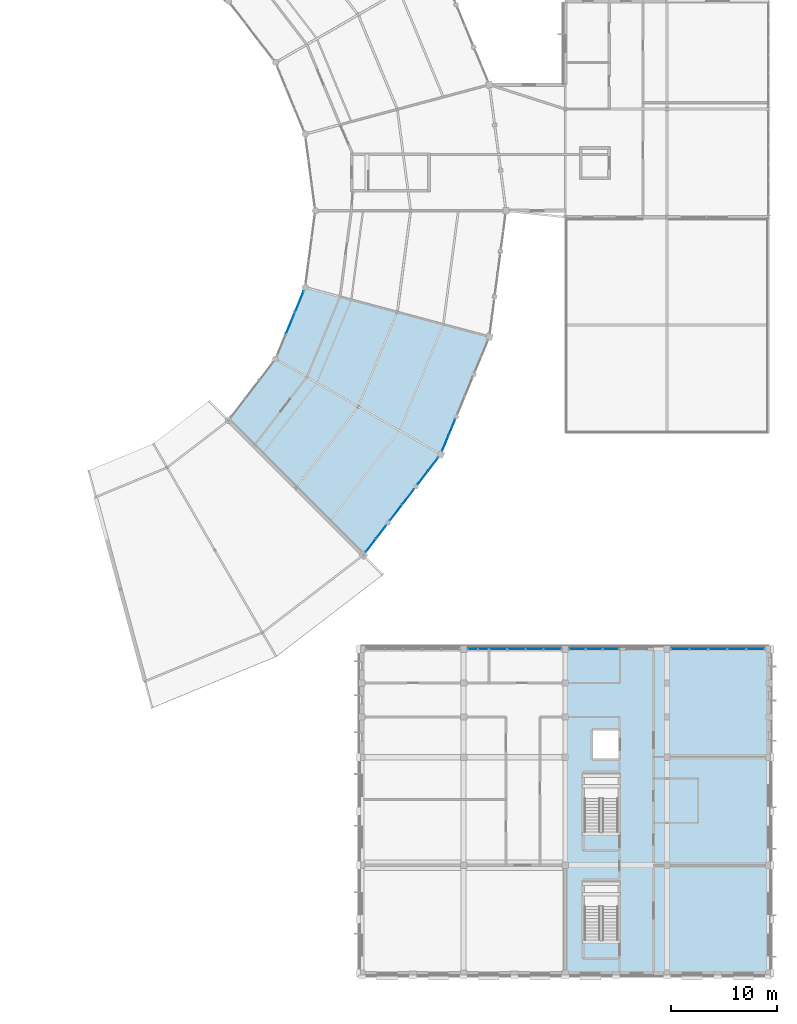
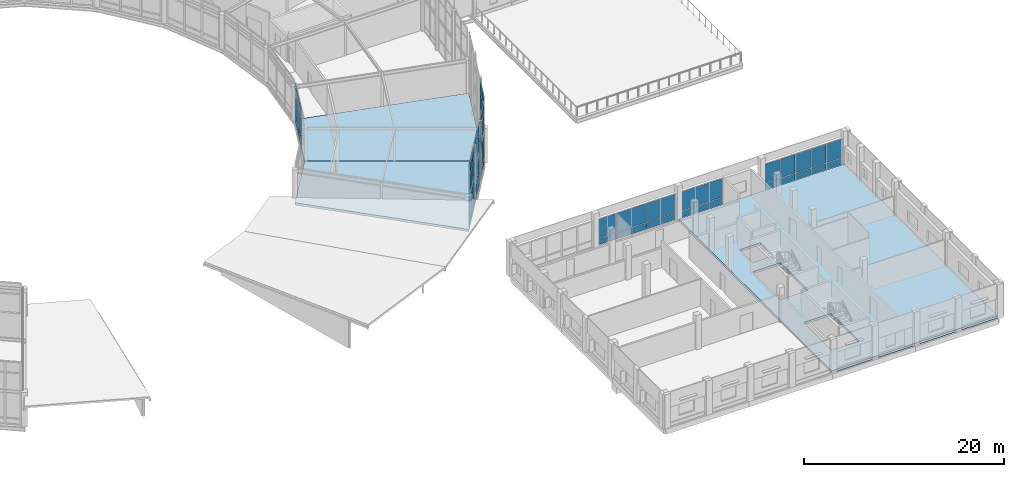
# One storey, part 144 of 185: 58 plates, 3 slabs, 9 elements without a shape of their own.
"""IFC4 building model written with IfcOpenShell, lengths in metres."""

from ifc_helpers import new_model, si_unit, direction, frame, origin, origin_2d, place, context, subcontext, project, spatial, polyline, rectangle, outline, extrude, material, layer, layer_set, type_object, element, aggregate, save


model = new_model("IFC4")

# Units and contexts
model_context = context("Model", 3, precision=1e-05, world=origin(), true_north=direction((0.0, 1.0)))
body_context = subcontext(model_context, "Body", "Model", "MODEL_VIEW")
ifc_project = project(units=[si_unit("LENGTHUNIT", "METRE"), si_unit("AREAUNIT", "SQUARE_METRE"), si_unit("VOLUMEUNIT", "CUBIC_METRE"), si_unit("PLANEANGLEUNIT", "RADIAN"), si_unit("MASSUNIT", "GRAM", prefix="KILO")], contexts=[model_context])

# Site, building, storey
site_placement = place(None, origin())
site = spatial("IfcSite", under=ifc_project, at=site_placement, CompositionType="ELEMENT")
building_placement = place(site_placement, origin())
building = spatial("IfcBuilding", under=site, at=building_placement, Name="Vondelvale Polytechnic", CompositionType="ELEMENT")
storey_placement = place(building_placement, frame((0.0, 0.0, 9.60009765625)))
storey = spatial("IfcBuildingStorey", under=building, at=storey_placement, Name="L02", CompositionType="ELEMENT", Elevation=9.60009765625)

# Curtain wall, plates
ifc_material_1 = material(Name="Anodised extruded aluminium 6063-T6", Category="aluminium")
curtain_wall_type_1 = type_object("IfcCurtainWallType", Name="CW-STUDIO-NORTH", PredefinedType="NOTDEFINED", material=ifc_material_1)
curtain_wall_1_placement = place(storey_placement, origin())
curtain_wall_1 = element("IfcCurtainWall", 1, at=curtain_wall_1_placement, inside=storey, type_object=curtain_wall_type_1, Name="L02 architectural curtain wall CW-01-064", PredefinedType="NOTDEFINED")
ifc_material_2 = material(Name="Double-glazed low-E insulated architectural glass", Category="glass")
ifc_layer_1 = layer(ifc_material_2, 0.028076171875)
ifc_layer_set_1 = layer_set([ifc_layer_1], Name="CW-PANEL-GLAZED")
plate_type_1 = type_object("IfcPlateType", Name="CW-PANEL-GLAZED", PredefinedType="CURTAIN_PANEL", material=ifc_layer_set_1)
plate_1_placement = place(storey_placement, frame((144.860107421875, 30.60009765625, 0.8798828125), z_axis=(0.0, 0.0, 1.0), x_axis=(1.0, 0.0, 0.0)))
plate_1 = element("IfcPlate", 2, at=plate_1_placement, type_object=plate_type_1, Name="CW-01-064 panel 1.2", PredefinedType="CURTAIN_PANEL", context=body_context, shape_type="SweptSolid", body=[
    extrude(rectangle(XDim=0.929931640625, YDim=0.028076171875, at=origin_2d()), origin(), (0.0, 0.0, 1.0), 2.31005859375),
])
plate_2_placement = place(storey_placement, frame((145.85498046875, 30.60009765625, 0.8798828125), z_axis=(0.0, 0.0, 1.0), x_axis=(1.0, 0.0, 0.0)))
plate_2 = element("IfcPlate", 3, at=plate_2_placement, type_object=plate_type_1, Name="CW-01-064 panel 2.2", PredefinedType="CURTAIN_PANEL", context=body_context, shape_type="SweptSolid", body=[
    extrude(rectangle(XDim=0.929931640625, YDim=0.028076171875, at=origin_2d()), origin(), (0.0, 0.0, 1.0), 2.31005859375),
])

curtain_wall_2_placement = place(storey_placement, origin())
curtain_wall_2 = element("IfcCurtainWall", 4, at=curtain_wall_2_placement, inside=storey, type_object=curtain_wall_type_1, Name="L02 architectural curtain wall CW-01-065", PredefinedType="NOTDEFINED")
plate_3_placement = place(storey_placement, frame((147.2880859375, 30.60009765625, 0.8798828125), z_axis=(0.0, 0.0, 1.0), x_axis=(1.0, 0.0, 0.0)))
plate_3 = element("IfcPlate", 5, at=plate_3_placement, type_object=plate_type_1, Name="CW-01-065 panel 1.2", PredefinedType="CURTAIN_PANEL", context=body_context, shape_type="SweptSolid", body=[
    extrude(rectangle(XDim=1.6162109375, YDim=0.028076171875, at=origin_2d()), origin(), (0.0, 0.0, 1.0), 2.31005859375),
])
plate_4_placement = place(storey_placement, frame((148.985595703125, 30.60009765625, 0.8798828125), z_axis=(0.0, 0.0, 1.0), x_axis=(1.0, 0.0, 0.0)))
plate_4 = element("IfcPlate", 6, at=plate_4_placement, type_object=plate_type_1, Name="CW-01-065 panel 2.2", PredefinedType="CURTAIN_PANEL", context=body_context, shape_type="SweptSolid", body=[
    extrude(rectangle(XDim=1.648681640625, YDim=0.028076171875, at=origin_2d()), origin(), (0.0, 0.0, 1.0), 2.31005859375),
])
plate_5_placement = place(storey_placement, frame((150.699462890625, 30.60009765625, 0.8798828125), z_axis=(0.0, 0.0, 1.0), x_axis=(1.0, 0.0, 0.0)))
plate_5 = element("IfcPlate", 7, at=plate_5_placement, type_object=plate_type_1, Name="CW-01-065 panel 3.2", PredefinedType="CURTAIN_PANEL", context=body_context, shape_type="SweptSolid", body=[
    extrude(rectangle(XDim=1.648681640625, YDim=0.028076171875, at=origin_2d()), origin(), (0.0, 0.0, 1.0), 2.31005859375),
])
plate_6_placement = place(storey_placement, frame((152.39697265625, 30.60009765625, 0.8798828125), z_axis=(0.0, 0.0, 1.0), x_axis=(1.0, 0.0, 0.0)))
plate_6 = element("IfcPlate", 8, at=plate_6_placement, type_object=plate_type_1, Name="CW-01-065 panel 4.2", PredefinedType="CURTAIN_PANEL", context=body_context, shape_type="SweptSolid", body=[
    extrude(rectangle(XDim=1.6162109375, YDim=0.028076171875, at=origin_2d()), origin(), (0.0, 0.0, 1.0), 2.31005859375),
])

curtain_wall_3_placement = place(storey_placement, origin())
curtain_wall_3 = element("IfcCurtainWall", 9, at=curtain_wall_3_placement, inside=storey, type_object=curtain_wall_type_1, Name="L02 architectural curtain wall CW-01-066", PredefinedType="NOTDEFINED")
plate_7_placement = place(storey_placement, frame((154.7470703125, 30.60009765625, 0.8798828125), z_axis=(0.0, 0.0, 1.0), x_axis=(1.0, 0.0, 0.0)))
plate_7 = element("IfcPlate", 10, at=plate_7_placement, type_object=plate_type_1, Name="CW-01-066 panel 1.2", PredefinedType="CURTAIN_PANEL", context=body_context, shape_type="SweptSolid", body=[
    extrude(rectangle(XDim=1.504150390625, YDim=0.028076171875, at=origin_2d()), origin(), (0.0, 0.0, 1.0), 2.31005859375),
])
plate_8_placement = place(storey_placement, frame((156.33251953125, 30.60009765625, 0.8798828125), z_axis=(0.0, 0.0, 1.0), x_axis=(1.0, 0.0, 0.0)))
plate_8 = element("IfcPlate", 11, at=plate_8_placement, type_object=plate_type_1, Name="CW-01-066 panel 2.2", PredefinedType="CURTAIN_PANEL", context=body_context, shape_type="SweptSolid", body=[
    extrude(rectangle(XDim=1.53662109375, YDim=0.028076171875, at=origin_2d()), origin(), (0.0, 0.0, 1.0), 2.31005859375),
])
plate_9_placement = place(storey_placement, frame((157.91796875, 30.60009765625, 0.8798828125), z_axis=(0.0, 0.0, 1.0), x_axis=(1.0, 0.0, 0.0)))
plate_9 = element("IfcPlate", 12, at=plate_9_placement, type_object=plate_type_1, Name="CW-01-066 panel 3.2", PredefinedType="CURTAIN_PANEL", context=body_context, shape_type="SweptSolid", body=[
    extrude(rectangle(XDim=1.504150390625, YDim=0.028076171875, at=origin_2d()), origin(), (0.0, 0.0, 1.0), 2.31005859375),
])

curtain_wall_4_placement = place(storey_placement, origin())
curtain_wall_4 = element("IfcCurtainWall", 13, at=curtain_wall_4_placement, inside=storey, type_object=curtain_wall_type_1, Name="L02 architectural curtain wall CW-01-067", PredefinedType="NOTDEFINED")
plate_10_placement = place(storey_placement, frame((164.440185546875, 30.60009765625, 0.8798828125), z_axis=(0.0, 0.0, 1.0), x_axis=(1.0, 0.0, 0.0)))
plate_10 = element("IfcPlate", 14, at=plate_10_placement, type_object=plate_type_1, Name="CW-01-067 panel 1.2", PredefinedType="CURTAIN_PANEL", context=body_context, shape_type="SweptSolid", body=[
    extrude(rectangle(XDim=1.6904296875, YDim=0.028076171875, at=origin_2d()), origin(), (0.0, 0.0, 1.0), 2.31005859375),
])
plate_11_placement = place(storey_placement, frame((166.2119140625, 30.60009765625, 0.8798828125), z_axis=(0.0, 0.0, 1.0), x_axis=(1.0, 0.0, 0.0)))
plate_11 = element("IfcPlate", 15, at=plate_11_placement, type_object=plate_type_1, Name="CW-01-067 panel 2.2", PredefinedType="CURTAIN_PANEL", context=body_context, shape_type="SweptSolid", body=[
    extrude(rectangle(XDim=1.722900390625, YDim=0.028076171875, at=origin_2d()), origin(), (0.0, 0.0, 1.0), 2.31005859375),
])
plate_12_placement = place(storey_placement, frame((168.0, 30.60009765625, 0.8798828125), z_axis=(0.0, 0.0, 1.0), x_axis=(1.0, 0.0, 0.0)))
plate_12 = element("IfcPlate", 16, at=plate_12_placement, type_object=plate_type_1, Name="CW-01-067 panel 3.2", PredefinedType="CURTAIN_PANEL", context=body_context, shape_type="SweptSolid", body=[
    extrude(rectangle(XDim=1.722900390625, YDim=0.028076171875, at=origin_2d()), origin(), (0.0, 0.0, 1.0), 2.31005859375),
])
plate_13_placement = place(storey_placement, frame((169.7880859375, 30.60009765625, 0.8798828125), z_axis=(0.0, 0.0, 1.0), x_axis=(1.0, 0.0, 0.0)))
plate_13 = element("IfcPlate", 17, at=plate_13_placement, type_object=plate_type_1, Name="CW-01-067 panel 4.2", PredefinedType="CURTAIN_PANEL", context=body_context, shape_type="SweptSolid", body=[
    extrude(rectangle(XDim=1.722900390625, YDim=0.028076171875, at=origin_2d()), origin(), (0.0, 0.0, 1.0), 2.31005859375),
])
plate_14_placement = place(storey_placement, frame((171.559814453125, 30.60009765625, 0.8798828125), z_axis=(0.0, 0.0, 1.0), x_axis=(1.0, 0.0, 0.0)))
plate_14 = element("IfcPlate", 18, at=plate_14_placement, type_object=plate_type_1, Name="CW-01-067 panel 5.2", PredefinedType="CURTAIN_PANEL", context=body_context, shape_type="SweptSolid", body=[
    extrude(rectangle(XDim=1.6904296875, YDim=0.028076171875, at=origin_2d()), origin(), (0.0, 0.0, 1.0), 2.31005859375),
])

ifc_material_3 = material(Name="Glulam GL18 structural Tasmanian oak (fb = 42 MPa)", Category="wood")
curtain_wall_type_2 = type_object("IfcCurtainWallType", Name="CW-RING-OUTER", PredefinedType="NOTDEFINED", material=ifc_material_3)
curtain_wall_5_placement = place(storey_placement, origin())
curtain_wall_5 = element("IfcCurtainWall", 19, at=curtain_wall_5_placement, inside=storey, type_object=curtain_wall_type_2, Name="L02 architectural curtain wall CW-04-356", PredefinedType="NOTDEFINED")
plate_15_placement = place(storey_placement, frame((135.234619140625, 40.3955078125, 0.77978515625), z_axis=(0.0, 0.0, 1.0), x_axis=(0.608786860133, 0.793333825656, 0.0)))
plate_15 = element("IfcPlate", 20, at=plate_15_placement, type_object=plate_type_1, Name="CW-04-356 panel 1.2", PredefinedType="CURTAIN_PANEL", context=body_context, shape_type="SweptSolid", body=[
    extrude(rectangle(XDim=1.530029296875, YDim=0.028076171875, at=origin_2d()), origin(), (0.0, 0.0, 1.0), 5.50146484375),
])
plate_16_placement = place(storey_placement, frame((135.234619140625, 40.3955078125, 6.34130859375), z_axis=(0.0, 0.0, 1.0), x_axis=(0.608786860133, 0.793333825656, 0.0)))
plate_16 = element("IfcPlate", 21, at=plate_16_placement, type_object=plate_type_1, Name="CW-04-356 panel 1.3", PredefinedType="CURTAIN_PANEL", context=body_context, shape_type="SweptSolid", body=[
    extrude(rectangle(XDim=1.530029296875, YDim=0.028076171875, at=origin_2d()), origin(), (0.0, 0.0, 1.0), 1.260009765625),
])
plate_17_placement = place(storey_placement, frame((136.205810546875, 41.660888671875, 0.77978515625), z_axis=(0.0, 0.0, 1.0), x_axis=(0.608786860133, 0.793333825656, 0.0)))
plate_17 = element("IfcPlate", 22, at=plate_17_placement, type_object=plate_type_1, Name="CW-04-356 panel 2.2", PredefinedType="CURTAIN_PANEL", context=body_context, shape_type="SweptSolid", body=[
    extrude(rectangle(XDim=1.530029296875, YDim=0.028076171875, at=origin_2d()), origin(), (0.0, 0.0, 1.0), 5.50146484375),
])
plate_18_placement = place(storey_placement, frame((136.205810546875, 41.660888671875, 6.34130859375), z_axis=(0.0, 0.0, 1.0), x_axis=(0.608786860133, 0.793333825656, 0.0)))
plate_18 = element("IfcPlate", 23, at=plate_18_placement, type_object=plate_type_1, Name="CW-04-356 panel 2.3", PredefinedType="CURTAIN_PANEL", context=body_context, shape_type="SweptSolid", body=[
    extrude(rectangle(XDim=1.530029296875, YDim=0.028076171875, at=origin_2d()), origin(), (0.0, 0.0, 1.0), 1.260009765625),
])

curtain_wall_6_placement = place(storey_placement, origin())
curtain_wall_6 = element("IfcCurtainWall", 24, at=curtain_wall_6_placement, inside=storey, type_object=curtain_wall_type_2, Name="L02 architectural curtain wall CW-04-357", PredefinedType="NOTDEFINED")
plate_19_placement = place(storey_placement, frame((137.611572265625, 43.4931640625, 1.6298828125), z_axis=(0.0, 0.0, 1.0), x_axis=(0.608771189063, 0.793345851043, 0.0)))
plate_19 = element("IfcPlate", 25, at=plate_19_placement, type_object=plate_type_1, Name="CW-04-357 panel 1.2", PredefinedType="CURTAIN_PANEL", context=body_context, shape_type="SweptSolid", body=[
    extrude(rectangle(XDim=1.80908203125, YDim=0.028076171875, at=origin_2d()), origin(), (0.0, 0.0, 1.0), 4.6513671875),
])
plate_20_placement = place(storey_placement, frame((137.611572265625, 43.4931640625, 6.34130859375), z_axis=(0.0, 0.0, 1.0), x_axis=(0.608771189063, 0.793345851043, 0.0)))
plate_20 = element("IfcPlate", 26, at=plate_20_placement, type_object=plate_type_1, Name="CW-04-357 panel 1.3", PredefinedType="CURTAIN_PANEL", context=body_context, shape_type="SweptSolid", body=[
    extrude(rectangle(XDim=1.80908203125, YDim=0.028076171875, at=origin_2d()), origin(), (0.0, 0.0, 1.0), 1.260009765625),
])
plate_21_placement = place(storey_placement, frame((138.75244140625, 44.97998046875, 1.6298828125), z_axis=(0.0, 0.0, 1.0), x_axis=(0.608771189063, 0.793345851043, 0.0)))
plate_21 = element("IfcPlate", 27, at=plate_21_placement, type_object=plate_type_1, Name="CW-04-357 panel 2.2", PredefinedType="CURTAIN_PANEL", context=body_context, shape_type="SweptSolid", body=[
    extrude(rectangle(XDim=1.80908203125, YDim=0.028076171875, at=origin_2d()), origin(), (0.0, 0.0, 1.0), 4.6513671875),
])
plate_22_placement = place(storey_placement, frame((138.75244140625, 44.97998046875, 6.34130859375), z_axis=(0.0, 0.0, 1.0), x_axis=(0.608771189063, 0.793345851043, 0.0)))
plate_22 = element("IfcPlate", 28, at=plate_22_placement, type_object=plate_type_1, Name="CW-04-357 panel 2.3", PredefinedType="CURTAIN_PANEL", context=body_context, shape_type="SweptSolid", body=[
    extrude(rectangle(XDim=1.80908203125, YDim=0.028076171875, at=origin_2d()), origin(), (0.0, 0.0, 1.0), 1.260009765625),
])

curtain_wall_7_placement = place(storey_placement, origin())
curtain_wall_7 = element("IfcCurtainWall", 29, at=curtain_wall_7_placement, inside=storey, type_object=curtain_wall_type_2, Name="L02 architectural curtain wall CW-04-358", PredefinedType="NOTDEFINED")
plate_23_placement = place(storey_placement, frame((140.158447265625, 46.812255859375, 0.77978515625), z_axis=(0.0, 0.0, 1.0), x_axis=(0.608786860133, 0.793333825656, 0.0)))
plate_23 = element("IfcPlate", 30, at=plate_23_placement, type_object=plate_type_1, Name="CW-04-358 panel 1.2", PredefinedType="CURTAIN_PANEL", context=body_context, shape_type="SweptSolid", body=[
    extrude(rectangle(XDim=1.530029296875, YDim=0.028076171875, at=origin_2d()), origin(), (0.0, 0.0, 1.0), 5.50146484375),
])
plate_24_placement = place(storey_placement, frame((140.158447265625, 46.812255859375, 6.34130859375), z_axis=(0.0, 0.0, 1.0), x_axis=(0.608786860133, 0.793333825656, 0.0)))
plate_24 = element("IfcPlate", 31, at=plate_24_placement, type_object=plate_type_1, Name="CW-04-358 panel 1.3", PredefinedType="CURTAIN_PANEL", context=body_context, shape_type="SweptSolid", body=[
    extrude(rectangle(XDim=1.530029296875, YDim=0.028076171875, at=origin_2d()), origin(), (0.0, 0.0, 1.0), 1.260009765625),
])
plate_25_placement = place(storey_placement, frame((141.12939453125, 48.07763671875, 0.77978515625), z_axis=(0.0, 0.0, 1.0), x_axis=(0.608786860133, 0.793333825656, 0.0)))
plate_25 = element("IfcPlate", 32, at=plate_25_placement, type_object=plate_type_1, Name="CW-04-358 panel 2.2", PredefinedType="CURTAIN_PANEL", context=body_context, shape_type="SweptSolid", body=[
    extrude(rectangle(XDim=1.530029296875, YDim=0.028076171875, at=origin_2d()), origin(), (0.0, 0.0, 1.0), 5.50146484375),
])
plate_26_placement = place(storey_placement, frame((141.12939453125, 48.07763671875, 6.34130859375), z_axis=(0.0, 0.0, 1.0), x_axis=(0.608786860133, 0.793333825656, 0.0)))
plate_26 = element("IfcPlate", 33, at=plate_26_placement, type_object=plate_type_1, Name="CW-04-358 panel 2.3", PredefinedType="CURTAIN_PANEL", context=body_context, shape_type="SweptSolid", body=[
    extrude(rectangle(XDim=1.530029296875, YDim=0.028076171875, at=origin_2d()), origin(), (0.0, 0.0, 1.0), 1.260009765625),
])

curtain_wall_type_3 = type_object("IfcCurtainWallType", Name="CW-RING-CLOISTER", PredefinedType="NOTDEFINED", material=ifc_material_1)
curtain_wall_8_placement = place(storey_placement, origin())
curtain_wall_8 = element("IfcCurtainWall", 34, at=curtain_wall_8_placement, inside=storey, type_object=curtain_wall_type_3, Name="L02 architectural curtain wall CW-03-366", PredefinedType="NOTDEFINED")
plate_27_placement = place(storey_placement, frame((127.647216796875, 61.37646484375, 0.7822265625), z_axis=(0.0, 0.0, 1.0), x_axis=(0.382678531697, 0.923881562419, 0.0)))
plate_27 = element("IfcPlate", 35, at=plate_27_placement, type_object=plate_type_1, Name="CW-03-366 panel 2.2", PredefinedType="CURTAIN_PANEL", context=body_context, shape_type="SweptSolid", body=[
    extrude(rectangle(XDim=2.146484375, YDim=0.028076171875, at=origin_2d()), origin(), (0.0, 0.0, 1.0), 2.548095703125),
])
plate_28_placement = place(storey_placement, frame((127.647216796875, 61.37646484375, 3.395751953125), z_axis=(0.0, 0.0, 1.0), x_axis=(0.382678531697, 0.923881562419, 0.0)))
plate_28 = element("IfcPlate", 36, at=plate_28_placement, type_object=plate_type_1, Name="CW-03-366 panel 2.3", PredefinedType="CURTAIN_PANEL", context=body_context, shape_type="SweptSolid", body=[
    extrude(rectangle(XDim=2.146484375, YDim=0.028076171875, at=origin_2d()), origin(), (0.0, 0.0, 1.0), 1.25244140625),
])
plate_29_placement = place(storey_placement, frame((128.48876953125, 63.408203125, 0.7822265625), z_axis=(0.0, 0.0, 1.0), x_axis=(0.382678531697, 0.923881562419, 0.0)))
plate_29 = element("IfcPlate", 37, at=plate_29_placement, type_object=plate_type_1, Name="CW-03-366 panel 3.2", PredefinedType="CURTAIN_PANEL", context=body_context, shape_type="SweptSolid", body=[
    extrude(rectangle(XDim=2.111572265625, YDim=0.028076171875, at=origin_2d()), origin(), (0.0, 0.0, 1.0), 2.548095703125),
])
plate_30_placement = place(storey_placement, frame((128.48876953125, 63.408203125, 3.395751953125), z_axis=(0.0, 0.0, 1.0), x_axis=(0.382678531697, 0.923881562419, 0.0)))
plate_30 = element("IfcPlate", 38, at=plate_30_placement, type_object=plate_type_1, Name="CW-03-366 panel 3.3", PredefinedType="CURTAIN_PANEL", context=body_context, shape_type="SweptSolid", body=[
    extrude(rectangle(XDim=2.111572265625, YDim=0.028076171875, at=origin_2d()), origin(), (0.0, 0.0, 1.0), 1.25244140625),
])

curtain_wall_9_placement = place(storey_placement, origin())
curtain_wall_9 = element("IfcCurtainWall", 39, at=curtain_wall_9_placement, inside=storey, type_object=curtain_wall_type_2, Name="L02 architectural curtain wall CW-04-367", PredefinedType="NOTDEFINED")
plate_31_placement = place(storey_placement, frame((142.2822265625, 50.07421875, 0.77978515625), z_axis=(0.0, 0.0, 1.0), x_axis=(0.382677394529, 0.923882033442, 0.0)))
plate_31 = element("IfcPlate", 40, at=plate_31_placement, type_object=plate_type_1, Name="CW-04-367 panel 1.2", PredefinedType="CURTAIN_PANEL", context=body_context, shape_type="SweptSolid", body=[
    extrude(rectangle(XDim=1.530029296875, YDim=0.028076171875, at=origin_2d()), origin(), (0.0, 0.0, 1.0), 5.50146484375),
])
plate_32_placement = place(storey_placement, frame((142.2822265625, 50.07421875, 6.34130859375), z_axis=(0.0, 0.0, 1.0), x_axis=(0.382677394529, 0.923882033442, 0.0)))
plate_32 = element("IfcPlate", 41, at=plate_32_placement, type_object=plate_type_1, Name="CW-04-367 panel 1.3", PredefinedType="CURTAIN_PANEL", context=body_context, shape_type="SweptSolid", body=[
    extrude(rectangle(XDim=1.530029296875, YDim=0.028076171875, at=origin_2d()), origin(), (0.0, 0.0, 1.0), 1.260009765625),
])
plate_33_placement = place(storey_placement, frame((142.892578125, 51.5478515625, 0.77978515625), z_axis=(0.0, 0.0, 1.0), x_axis=(0.382677394529, 0.923882033442, 0.0)))
plate_33 = element("IfcPlate", 42, at=plate_33_placement, type_object=plate_type_1, Name="CW-04-367 panel 2.2", PredefinedType="CURTAIN_PANEL", context=body_context, shape_type="SweptSolid", body=[
    extrude(rectangle(XDim=1.530029296875, YDim=0.028076171875, at=origin_2d()), origin(), (0.0, 0.0, 1.0), 5.50146484375),
])
plate_34_placement = place(storey_placement, frame((142.892578125, 51.5478515625, 6.34130859375), z_axis=(0.0, 0.0, 1.0), x_axis=(0.382677394529, 0.923882033442, 0.0)))
plate_34 = element("IfcPlate", 43, at=plate_34_placement, type_object=plate_type_1, Name="CW-04-367 panel 2.3", PredefinedType="CURTAIN_PANEL", context=body_context, shape_type="SweptSolid", body=[
    extrude(rectangle(XDim=1.530029296875, YDim=0.028076171875, at=origin_2d()), origin(), (0.0, 0.0, 1.0), 1.260009765625),
])

# Plate
ifc_material_4 = material(Name="Engineered Tasmanian oak studio and bridge joinery")
ifc_layer_2 = layer(ifc_material_4, 0.0419921875)
ifc_layer_set_2 = layer_set([ifc_layer_2], Name="CW-PANEL-OAK")
plate_type_2 = type_object("IfcPlateType", Name="CW-PANEL-OAK", PredefinedType="CURTAIN_PANEL", material=ifc_layer_set_2)
plate_35_placement = place(storey_placement, frame((137.611572265625, 43.4931640625, 0.06005859375), z_axis=(0.0, 0.0, 1.0), x_axis=(0.608771189063, 0.793345851043, 0.0)))
plate_35 = element("IfcPlate", 44, at=plate_35_placement, type_object=plate_type_2, Name="CW-04-357 panel 1.1", PredefinedType="CURTAIN_PANEL", context=body_context, shape_type="SweptSolid", body=[
    extrude(rectangle(XDim=1.80908203125, YDim=0.0419921875, at=origin_2d()), origin(), (0.0, 0.0, 1.0), 1.510009765625),
])

plate_36_placement = place(storey_placement, frame((138.75244140625, 44.97998046875, 0.06005859375), z_axis=(0.0, 0.0, 1.0), x_axis=(0.608771189063, 0.793345851043, 0.0)))
plate_36 = element("IfcPlate", 45, at=plate_36_placement, type_object=plate_type_2, Name="CW-04-357 panel 2.1", PredefinedType="CURTAIN_PANEL", context=body_context, shape_type="SweptSolid", body=[
    extrude(rectangle(XDim=1.80908203125, YDim=0.0419921875, at=origin_2d()), origin(), (0.0, 0.0, 1.0), 1.510009765625),
])

aggregate(curtain_wall_6, [plate_35, plate_19, plate_20, plate_36, plate_21, plate_22])

plate_37_placement = place(storey_placement, frame((127.647216796875, 61.37646484375, 0.06494140625), z_axis=(0.0, 0.0, 1.0), x_axis=(0.382678531697, 0.923881562419, 0.0)))
plate_37 = element("IfcPlate", 46, at=plate_37_placement, type_object=plate_type_2, Name="CW-03-366 panel 2.1", PredefinedType="CURTAIN_PANEL", context=body_context, shape_type="SweptSolid", body=[
    extrude(rectangle(XDim=2.146484375, YDim=0.0419921875, at=origin_2d()), origin(), (0.0, 0.0, 1.0), 0.652587890625),
])

plate_38_placement = place(storey_placement, frame((128.48876953125, 63.408203125, 0.06494140625), z_axis=(0.0, 0.0, 1.0), x_axis=(0.382678531697, 0.923881562419, 0.0)))
plate_38 = element("IfcPlate", 47, at=plate_38_placement, type_object=plate_type_2, Name="CW-03-366 panel 3.1", PredefinedType="CURTAIN_PANEL", context=body_context, shape_type="SweptSolid", body=[
    extrude(rectangle(XDim=2.111572265625, YDim=0.0419921875, at=origin_2d()), origin(), (0.0, 0.0, 1.0), 0.652587890625),
])

aggregate(curtain_wall_8, [plate_37, plate_27, plate_28, plate_38, plate_29, plate_30])

ifc_material_5 = material(Name="Kiln-fired architectural terracotta", Category="masonry")
ifc_layer_3 = layer(ifc_material_5, 0.035888671875)
ifc_layer_set_3 = layer_set([ifc_layer_3], Name="CW-PANEL-SPANDREL")
plate_type_3 = type_object("IfcPlateType", Name="CW-PANEL-SPANDREL", PredefinedType="CURTAIN_PANEL", material=ifc_layer_set_3)
plate_39_placement = place(storey_placement, frame((144.860107421875, 30.60009765625, 0.06005859375), z_axis=(0.0, 0.0, 1.0), x_axis=(1.0, 0.0, 0.0)))
plate_39 = element("IfcPlate", 48, at=plate_39_placement, type_object=plate_type_3, Name="CW-01-064 panel 1.1", PredefinedType="CURTAIN_PANEL", context=body_context, shape_type="SweptSolid", body=[
    extrude(rectangle(XDim=0.929931640625, YDim=0.035888671875, at=origin_2d()), origin(), (0.0, 0.0, 1.0), 0.760009765625),
])

plate_40_placement = place(storey_placement, frame((145.85498046875, 30.60009765625, 0.06005859375), z_axis=(0.0, 0.0, 1.0), x_axis=(1.0, 0.0, 0.0)))
plate_40 = element("IfcPlate", 49, at=plate_40_placement, type_object=plate_type_3, Name="CW-01-064 panel 2.1", PredefinedType="CURTAIN_PANEL", context=body_context, shape_type="SweptSolid", body=[
    extrude(rectangle(XDim=0.929931640625, YDim=0.035888671875, at=origin_2d()), origin(), (0.0, 0.0, 1.0), 0.760009765625),
])

aggregate(curtain_wall_1, [plate_39, plate_1, plate_40, plate_2])

plate_41_placement = place(storey_placement, frame((147.2880859375, 30.60009765625, 0.06005859375), z_axis=(0.0, 0.0, 1.0), x_axis=(1.0, 0.0, 0.0)))
plate_41 = element("IfcPlate", 50, at=plate_41_placement, type_object=plate_type_3, Name="CW-01-065 panel 1.1", PredefinedType="CURTAIN_PANEL", context=body_context, shape_type="SweptSolid", body=[
    extrude(rectangle(XDim=1.6162109375, YDim=0.035888671875, at=origin_2d()), origin(), (0.0, 0.0, 1.0), 0.760009765625),
])

plate_42_placement = place(storey_placement, frame((148.985595703125, 30.60009765625, 0.06005859375), z_axis=(0.0, 0.0, 1.0), x_axis=(1.0, 0.0, 0.0)))
plate_42 = element("IfcPlate", 51, at=plate_42_placement, type_object=plate_type_3, Name="CW-01-065 panel 2.1", PredefinedType="CURTAIN_PANEL", context=body_context, shape_type="SweptSolid", body=[
    extrude(rectangle(XDim=1.648681640625, YDim=0.035888671875, at=origin_2d()), origin(), (0.0, 0.0, 1.0), 0.760009765625),
])

plate_43_placement = place(storey_placement, frame((150.699462890625, 30.60009765625, 0.06005859375), z_axis=(0.0, 0.0, 1.0), x_axis=(1.0, 0.0, 0.0)))
plate_43 = element("IfcPlate", 52, at=plate_43_placement, type_object=plate_type_3, Name="CW-01-065 panel 3.1", PredefinedType="CURTAIN_PANEL", context=body_context, shape_type="SweptSolid", body=[
    extrude(rectangle(XDim=1.648681640625, YDim=0.035888671875, at=origin_2d()), origin(), (0.0, 0.0, 1.0), 0.760009765625),
])

plate_44_placement = place(storey_placement, frame((152.39697265625, 30.60009765625, 0.06005859375), z_axis=(0.0, 0.0, 1.0), x_axis=(1.0, 0.0, 0.0)))
plate_44 = element("IfcPlate", 53, at=plate_44_placement, type_object=plate_type_3, Name="CW-01-065 panel 4.1", PredefinedType="CURTAIN_PANEL", context=body_context, shape_type="SweptSolid", body=[
    extrude(rectangle(XDim=1.6162109375, YDim=0.035888671875, at=origin_2d()), origin(), (0.0, 0.0, 1.0), 0.760009765625),
])

aggregate(curtain_wall_2, [plate_41, plate_3, plate_42, plate_4, plate_43, plate_5, plate_44, plate_6])

plate_45_placement = place(storey_placement, frame((154.7470703125, 30.60009765625, 0.06005859375), z_axis=(0.0, 0.0, 1.0), x_axis=(1.0, 0.0, 0.0)))
plate_45 = element("IfcPlate", 54, at=plate_45_placement, type_object=plate_type_3, Name="CW-01-066 panel 1.1", PredefinedType="CURTAIN_PANEL", context=body_context, shape_type="SweptSolid", body=[
    extrude(rectangle(XDim=1.504150390625, YDim=0.035888671875, at=origin_2d()), origin(), (0.0, 0.0, 1.0), 0.760009765625),
])

plate_46_placement = place(storey_placement, frame((156.33251953125, 30.60009765625, 0.06005859375), z_axis=(0.0, 0.0, 1.0), x_axis=(1.0, 0.0, 0.0)))
plate_46 = element("IfcPlate", 55, at=plate_46_placement, type_object=plate_type_3, Name="CW-01-066 panel 2.1", PredefinedType="CURTAIN_PANEL", context=body_context, shape_type="SweptSolid", body=[
    extrude(rectangle(XDim=1.53662109375, YDim=0.035888671875, at=origin_2d()), origin(), (0.0, 0.0, 1.0), 0.760009765625),
])

plate_47_placement = place(storey_placement, frame((157.91796875, 30.60009765625, 0.06005859375), z_axis=(0.0, 0.0, 1.0), x_axis=(1.0, 0.0, 0.0)))
plate_47 = element("IfcPlate", 56, at=plate_47_placement, type_object=plate_type_3, Name="CW-01-066 panel 3.1", PredefinedType="CURTAIN_PANEL", context=body_context, shape_type="SweptSolid", body=[
    extrude(rectangle(XDim=1.504150390625, YDim=0.035888671875, at=origin_2d()), origin(), (0.0, 0.0, 1.0), 0.760009765625),
])

aggregate(curtain_wall_3, [plate_45, plate_7, plate_46, plate_8, plate_47, plate_9])

plate_48_placement = place(storey_placement, frame((164.440185546875, 30.60009765625, 0.06005859375), z_axis=(0.0, 0.0, 1.0), x_axis=(1.0, 0.0, 0.0)))
plate_48 = element("IfcPlate", 57, at=plate_48_placement, type_object=plate_type_3, Name="CW-01-067 panel 1.1", PredefinedType="CURTAIN_PANEL", context=body_context, shape_type="SweptSolid", body=[
    extrude(rectangle(XDim=1.6904296875, YDim=0.035888671875, at=origin_2d()), origin(), (0.0, 0.0, 1.0), 0.760009765625),
])

plate_49_placement = place(storey_placement, frame((166.2119140625, 30.60009765625, 0.06005859375), z_axis=(0.0, 0.0, 1.0), x_axis=(1.0, 0.0, 0.0)))
plate_49 = element("IfcPlate", 58, at=plate_49_placement, type_object=plate_type_3, Name="CW-01-067 panel 2.1", PredefinedType="CURTAIN_PANEL", context=body_context, shape_type="SweptSolid", body=[
    extrude(rectangle(XDim=1.722900390625, YDim=0.035888671875, at=origin_2d()), origin(), (0.0, 0.0, 1.0), 0.760009765625),
])

plate_50_placement = place(storey_placement, frame((168.0, 30.60009765625, 0.06005859375), z_axis=(0.0, 0.0, 1.0), x_axis=(1.0, 0.0, 0.0)))
plate_50 = element("IfcPlate", 59, at=plate_50_placement, type_object=plate_type_3, Name="CW-01-067 panel 3.1", PredefinedType="CURTAIN_PANEL", context=body_context, shape_type="SweptSolid", body=[
    extrude(rectangle(XDim=1.722900390625, YDim=0.035888671875, at=origin_2d()), origin(), (0.0, 0.0, 1.0), 0.760009765625),
])

plate_51_placement = place(storey_placement, frame((169.7880859375, 30.60009765625, 0.06005859375), z_axis=(0.0, 0.0, 1.0), x_axis=(1.0, 0.0, 0.0)))
plate_51 = element("IfcPlate", 60, at=plate_51_placement, type_object=plate_type_3, Name="CW-01-067 panel 4.1", PredefinedType="CURTAIN_PANEL", context=body_context, shape_type="SweptSolid", body=[
    extrude(rectangle(XDim=1.722900390625, YDim=0.035888671875, at=origin_2d()), origin(), (0.0, 0.0, 1.0), 0.760009765625),
])

plate_52_placement = place(storey_placement, frame((171.559814453125, 30.60009765625, 0.06005859375), z_axis=(0.0, 0.0, 1.0), x_axis=(1.0, 0.0, 0.0)))
plate_52 = element("IfcPlate", 61, at=plate_52_placement, type_object=plate_type_3, Name="CW-01-067 panel 5.1", PredefinedType="CURTAIN_PANEL", context=body_context, shape_type="SweptSolid", body=[
    extrude(rectangle(XDim=1.6904296875, YDim=0.035888671875, at=origin_2d()), origin(), (0.0, 0.0, 1.0), 0.760009765625),
])

aggregate(curtain_wall_4, [plate_48, plate_10, plate_49, plate_11, plate_50, plate_12, plate_51, plate_13, plate_52, plate_14])

plate_53_placement = place(storey_placement, frame((135.234619140625, 40.3955078125, 0.06005859375), z_axis=(0.0, 0.0, 1.0), x_axis=(0.608786860133, 0.793333825656, 0.0)))
plate_53 = element("IfcPlate", 62, at=plate_53_placement, type_object=plate_type_3, Name="CW-04-356 panel 1.1", PredefinedType="CURTAIN_PANEL", context=body_context, shape_type="SweptSolid", body=[
    extrude(rectangle(XDim=1.530029296875, YDim=0.035888671875, at=origin_2d()), origin(), (0.0, 0.0, 1.0), 0.659912109375),
])

plate_54_placement = place(storey_placement, frame((136.205810546875, 41.660888671875, 0.06005859375), z_axis=(0.0, 0.0, 1.0), x_axis=(0.608786860133, 0.793333825656, 0.0)))
plate_54 = element("IfcPlate", 63, at=plate_54_placement, type_object=plate_type_3, Name="CW-04-356 panel 2.1", PredefinedType="CURTAIN_PANEL", context=body_context, shape_type="SweptSolid", body=[
    extrude(rectangle(XDim=1.530029296875, YDim=0.035888671875, at=origin_2d()), origin(), (0.0, 0.0, 1.0), 0.659912109375),
])

aggregate(curtain_wall_5, [plate_53, plate_15, plate_16, plate_54, plate_17, plate_18])

plate_55_placement = place(storey_placement, frame((140.158447265625, 46.812255859375, 0.06005859375), z_axis=(0.0, 0.0, 1.0), x_axis=(0.608786860133, 0.793333825656, 0.0)))
plate_55 = element("IfcPlate", 64, at=plate_55_placement, type_object=plate_type_3, Name="CW-04-358 panel 1.1", PredefinedType="CURTAIN_PANEL", context=body_context, shape_type="SweptSolid", body=[
    extrude(rectangle(XDim=1.530029296875, YDim=0.035888671875, at=origin_2d()), origin(), (0.0, 0.0, 1.0), 0.659912109375),
])

plate_56_placement = place(storey_placement, frame((141.12939453125, 48.07763671875, 0.06005859375), z_axis=(0.0, 0.0, 1.0), x_axis=(0.608786860133, 0.793333825656, 0.0)))
plate_56 = element("IfcPlate", 65, at=plate_56_placement, type_object=plate_type_3, Name="CW-04-358 panel 2.1", PredefinedType="CURTAIN_PANEL", context=body_context, shape_type="SweptSolid", body=[
    extrude(rectangle(XDim=1.530029296875, YDim=0.035888671875, at=origin_2d()), origin(), (0.0, 0.0, 1.0), 0.659912109375),
])

aggregate(curtain_wall_7, [plate_55, plate_23, plate_24, plate_56, plate_25, plate_26])

plate_57_placement = place(storey_placement, frame((142.2822265625, 50.07421875, 0.06005859375), z_axis=(0.0, 0.0, 1.0), x_axis=(0.382677394529, 0.923882033442, 0.0)))
plate_57 = element("IfcPlate", 66, at=plate_57_placement, type_object=plate_type_3, Name="CW-04-367 panel 1.1", PredefinedType="CURTAIN_PANEL", context=body_context, shape_type="SweptSolid", body=[
    extrude(rectangle(XDim=1.530029296875, YDim=0.035888671875, at=origin_2d()), origin(), (0.0, 0.0, 1.0), 0.659912109375),
])

plate_58_placement = place(storey_placement, frame((142.892578125, 51.5478515625, 0.06005859375), z_axis=(0.0, 0.0, 1.0), x_axis=(0.382677394529, 0.923882033442, 0.0)))
plate_58 = element("IfcPlate", 67, at=plate_58_placement, type_object=plate_type_3, Name="CW-04-367 panel 2.1", PredefinedType="CURTAIN_PANEL", context=body_context, shape_type="SweptSolid", body=[
    extrude(rectangle(XDim=1.530029296875, YDim=0.035888671875, at=origin_2d()), origin(), (0.0, 0.0, 1.0), 0.659912109375),
])

aggregate(curtain_wall_9, [plate_57, plate_31, plate_32, plate_58, plate_33, plate_34])

# Slabs
ifc_material_6 = material(Name="Concrete N40 (f'c = 40 MPa)", Category="concrete")
ifc_layer_4 = layer(ifc_material_6, 0.280029296875)
ifc_layer_set_4 = layer_set([ifc_layer_4], Name="SLB-LIBRARY-280")
slab_type = type_object("IfcSlabType", Name="SLB-LIBRARY-280", PredefinedType="FLOOR", material=ifc_layer_set_4)
slab_1_placement = place(storey_placement, frame((0.0, 0.0, -0.280029296875)))
element("IfcSlab", 68, at=slab_1_placement, inside=storey, type_object=slab_type, Name="L02 lecture wing slab E", PredefinedType="FLOOR", context=body_context, shape_type="SweptSolid", body=[
    extrude(outline(polyline([(153.60009765625, 0.0), (172.800048828125, 0.0), (172.800048828125, 30.60009765625), (153.60009765625, 30.60009765625), (153.60009765625, 0.0)]), holes=[polyline([(158.60009765625, 3.14990234375), (158.60009765625, 8.699951171875), (155.39990234375, 8.699951171875), (155.39990234375, 3.14990234375), (158.60009765625, 3.14990234375)]), polyline([(158.60009765625, 13.35009765625), (158.60009765625, 18.89990234375), (155.39990234375, 18.89990234375), (155.39990234375, 13.35009765625), (158.60009765625, 13.35009765625)]), polyline([(156.22509765625, 20.300048828125), (158.625, 20.300048828125), (158.625, 22.89990234375), (156.22509765625, 22.89990234375), (156.22509765625, 20.300048828125)])]), origin(), (0.0, 0.0, 1.0), 0.280029296875),
])
slab_2_placement = place(storey_placement, frame((0.0, 0.0, -0.280029296875)))
element("IfcSlab", 69, at=slab_2_placement, inside=storey, type_object=slab_type, Name="L02 circular ring sector 21 floor slab", PredefinedType="FLOOR", context=body_context, shape_type="SweptSolid", body=[
    extrude(outline(polyline([(121.799072265625, 52.200927734375), (134.52685546875, 39.47314453125), (141.837158203125, 49.0), (126.248779296875, 58.0), (121.799072265625, 52.200927734375)])), origin(), (0.0, 0.0, 1.0), 0.280029296875),
])
slab_3_placement = place(storey_placement, frame((0.0, 0.0, -0.280029296875)))
element("IfcSlab", 70, at=slab_3_placement, inside=storey, type_object=slab_type, Name="L02 circular ring sector 22 floor slab", PredefinedType="FLOOR", context=body_context, shape_type="SweptSolid", body=[
    extrude(outline(polyline([(126.248779296875, 58.0), (141.837158203125, 49.0), (146.4326171875, 60.09423828125), (129.0458984375, 64.753173828125), (126.248779296875, 58.0)])), origin(), (0.0, 0.0, 1.0), 0.280029296875),
])

save(model, "model.ifc")
